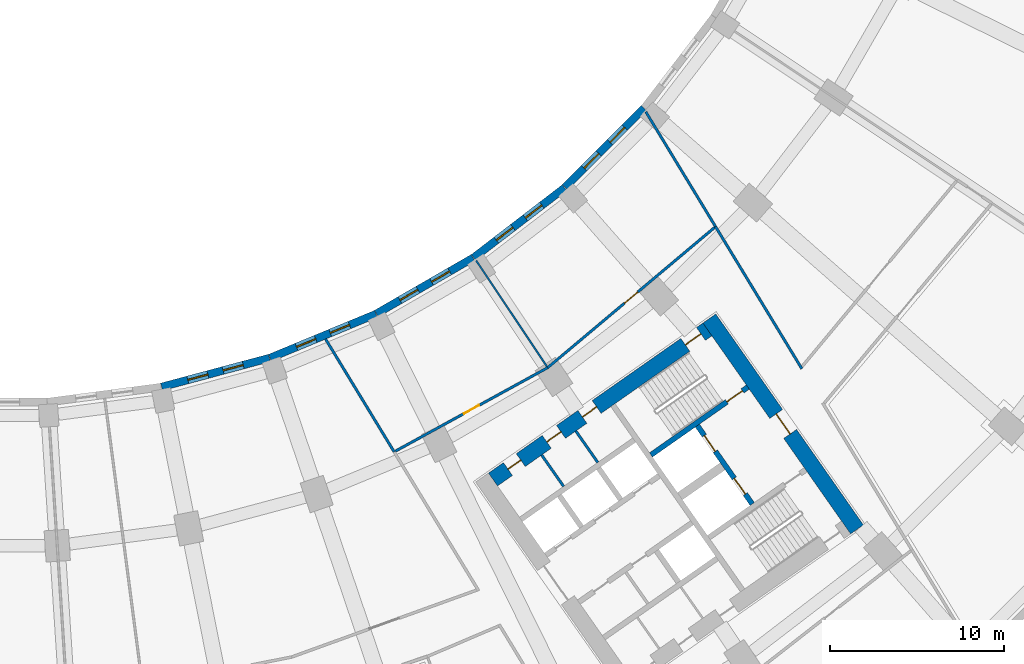
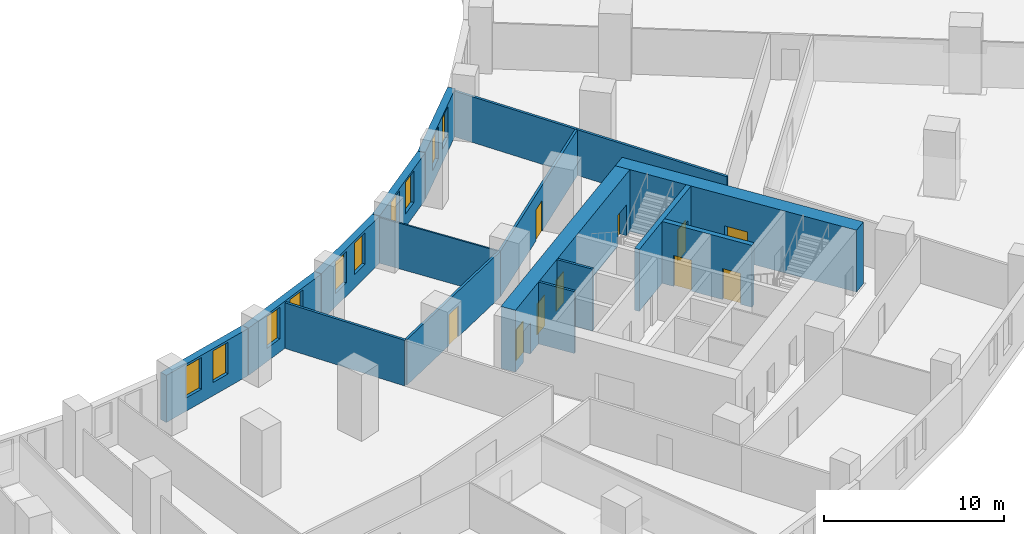
# One storey, part 11 of 19: 17 walls, 10 doors, 10 windows, 20 openings.
"""IFC4 building model written with IfcOpenShell, lengths in metres."""

import ifcopenshell
import ifcopenshell.guid

model = None  # the IFC model being written
_history = None  # IfcOwnerHistory: only IFC2X3 demands one
_inside = {}  # id of a spatial element -> (the spatial element, [elements in it])
_under = {}  # id of a project, library or spatial element -> (it, [spatial elements below it])
_declared = {}  # id of a project -> (the project, [libraries it declares])
_typed = {}  # id of a type object -> (the type object, [elements of that type])
_made_of = {}  # id of a material, layer set ... -> (it, [elements and type objects made of it])


def new_model(schema):
    """Start an empty IFC model of exactly this schema.

    Asked for "IFC4X3", IfcOpenShell would pick the latest addendum, in which some entities
    have other attributes; the version numbers below select the first issue.
    IFC2X3 requires an IfcOwnerHistory on every rooted entity: one is made here for all.
    """
    global model, _history
    if schema == "IFC4X3":
        model = ifcopenshell.file(schema_version=(4, 3, 0, 0))
    else:
        model = ifcopenshell.file(schema=schema)
    _inside.clear()
    _under.clear()
    _declared.clear()
    _typed.clear()
    _made_of.clear()
    _history = None
    if model.schema == "IFC2X3":
        org = make("IfcOrganization", Name="unknown")
        user = make(
            "IfcPersonAndOrganization",
            ThePerson=make("IfcPerson", FamilyName="unknown"),
            TheOrganization=org,
        )
        app = make(
            "IfcApplication",
            ApplicationDeveloper=org,
            Version="unknown",
            ApplicationFullName="unknown",
            ApplicationIdentifier="unknown",
        )
        _history = make(
            "IfcOwnerHistory",
            OwningUser=user,
            OwningApplication=app,
            ChangeAction="ADDED",
            CreationDate=0,
        )
    return model


def make(cls, **values):
    """One entity of the class cls with the attributes given. An attribute that is None is left unset."""
    return model.create_entity(
        cls, **{name: value for name, value in values.items() if value is not None}
    )


def rooted(cls, **values):
    """An entity with a GlobalId (a new one), such as an element, a storey or a relation."""
    return make(cls, GlobalId=ifcopenshell.guid.new(), OwnerHistory=_history, **values)


def si_unit(unit_type, name, prefix=None):
    """IfcSIUnit, for example si_unit("LENGTHUNIT", "METRE", prefix="MILLI")."""
    return make("IfcSIUnit", UnitType=unit_type, Prefix=prefix, Name=name)


def assignment(units):
    """IfcUnitAssignment: the units of a project."""
    return None if units is None else make("IfcUnitAssignment", Units=units)


def point(xyz):
    """IfcCartesianPoint."""
    return None if xyz is None else make("IfcCartesianPoint", Coordinates=xyz)


def direction(xyz):
    """IfcDirection."""
    return None if xyz is None else make("IfcDirection", DirectionRatios=xyz)


def frame(location, z_axis=None, x_axis=None):
    """IfcAxis2Placement3D, a coordinate frame: its origin and axes. An axis left out is left unset."""
    return make(
        "IfcAxis2Placement3D",
        Location=point(location),
        Axis=direction(z_axis),
        RefDirection=direction(x_axis),
    )


def frame_2d(location, x_axis=None):
    """IfcAxis2Placement2D, a coordinate frame in the plane: its origin and x axis."""
    return make(
        "IfcAxis2Placement2D", Location=point(location), RefDirection=direction(x_axis)
    )


def origin():
    """The frame at (0, 0, 0) with its axes left unset."""
    return frame((0.0, 0.0, 0.0))


def place(relative_to, where):
    """IfcLocalPlacement: puts the frame where relative to a parent placement (None: the world)."""
    return make(
        "IfcLocalPlacement", PlacementRelTo=relative_to, RelativePlacement=where
    )


def context(
    kind, dimensions, precision=None, world=None, true_north=None, identifier=None
):
    """IfcGeometricRepresentationContext, for example the 3D "Model" context."""
    return make(
        "IfcGeometricRepresentationContext",
        ContextIdentifier=identifier,
        ContextType=kind,
        CoordinateSpaceDimension=dimensions,
        Precision=precision,
        WorldCoordinateSystem=world,
        TrueNorth=true_north,
    )


def subcontext(parent, identifier, kind, view, scale=None):
    """IfcGeometricRepresentationSubContext, for example "Body" below "Model"."""
    return make(
        "IfcGeometricRepresentationSubContext",
        ContextIdentifier=identifier,
        ContextType=kind,
        ParentContext=parent,
        TargetScale=scale,
        TargetView=view,
    )


def project(units=None, contexts=None):
    """IfcProject with its units and contexts."""
    return rooted(
        "IfcProject",
        Name="project",
        RepresentationContexts=contexts,
        UnitsInContext=assignment(units),
    )


def spatial(cls, under=None, at=None, **own):
    """A site, building, storey or space (cls), placed at a placement, below another one or the project."""
    s = rooted(cls, ObjectPlacement=at, **own)
    if under is not None:
        _under.setdefault(under.id(), (under, []))[1].append(s)
    return s


def profile(cls, at=None, kind="AREA", **sizes):
    """A parametric profile (cls). Its sizes go by their IFC names, for example OverallWidth=200.0."""
    return make(cls, ProfileType=kind, Position=at, **sizes)


def rectangle(**sizes):
    """IfcRectangleProfileDef."""
    return profile("IfcRectangleProfileDef", **sizes)


def extrude(swept, where, along, depth):
    """IfcExtrudedAreaSolid: the profile swept, set in the frame where, extruded along a direction by depth."""
    return make(
        "IfcExtrudedAreaSolid",
        SweptArea=swept,
        Position=where,
        ExtrudedDirection=direction(along),
        Depth=depth,
    )


def shape(context_of_items, identifier, shape_type, items):
    """IfcShapeRepresentation: the items that make up one representation, for example the "Body"."""
    return make(
        "IfcShapeRepresentation",
        ContextOfItems=context_of_items,
        RepresentationIdentifier=identifier,
        RepresentationType=shape_type,
        Items=items,
    )


def material(Name=None, Category=None):
    """IfcMaterial."""
    return make("IfcMaterial", Name=Name, Category=Category)


def layer(
    of_material, thickness, ventilated=None, Name=None, Category=None, Priority=None
):
    """IfcMaterialLayer: one layer of a wall or slab, of a material (None: an air gap)."""
    return make(
        "IfcMaterialLayer",
        Material=of_material,
        LayerThickness=thickness,
        IsVentilated=ventilated,
        Name=Name,
        Category=Category,
        Priority=Priority,
    )


def layer_set(layers, Name=None):
    """IfcMaterialLayerSet."""
    return make("IfcMaterialLayerSet", MaterialLayers=layers, LayerSetName=Name)


def made_of(thing, what):
    """Note that an element or type object is made of a material, layer set ...; save() writes the relation."""
    if what is not None:
        _made_of.setdefault(what.id(), (what, []))[1].append(thing)
    return thing


def type_object(cls, material=None, **own):
    """A type object (cls), such as IfcWallType, which elements share."""
    return made_of(rooted(cls, **own), material)


def element(
    cls,
    number,
    at=None,
    inside=None,
    cuts=None,
    type_object=None,
    material=None,
    context=None,
    identifier="Body",
    shape_type=None,
    held_by="IfcProductDefinitionShape",
    body=None,
    shapes=None,
    **own,
):
    """One element of the class cls, such as IfcWall. Its Tag is "e" and its number.

    at: its placement. inside: the storey or other place that contains it. cuts: it is an
    opening in that element (IfcRelVoidsElement). A single representation is given by context,
    identifier, shape_type and body (its items); several are given by shapes. held_by: the class
    of the entity that holds the representations. save() writes the other relations.
    """
    e = rooted(cls, Tag="e%d" % number, ObjectPlacement=at, **own)
    if body is not None:
        shapes = [shape(context, identifier, shape_type, body)]
    if shapes is not None:
        e.Representation = make(held_by, Representations=shapes)
    if inside is not None:
        _inside.setdefault(inside.id(), (inside, []))[1].append(e)
    if cuts is not None:
        rooted(
            "IfcRelVoidsElement", RelatingBuildingElement=cuts, RelatedOpeningElement=e
        )
    if type_object is not None:
        _typed.setdefault(type_object.id(), (type_object, []))[1].append(e)
    return made_of(e, material)


def fill(opening, filler):
    """IfcRelFillsElement: the door or window that sits in an opening."""
    return rooted(
        "IfcRelFillsElement",
        RelatingOpeningElement=opening,
        RelatedBuildingElement=filler,
    )


def aggregate(whole, parts):
    """IfcRelAggregates: a whole, such as a stair, and the parts it consists of."""
    return rooted("IfcRelAggregates", RelatingObject=whole, RelatedObjects=parts)


def save(model, path):
    """Write the relations noted so far, then the file.

    IfcRelAggregates (storeys below a building ...), IfcRelContainedInSpatialStructure (elements
    in a storey), IfcRelDefinesByType, IfcRelAssociatesMaterial and IfcRelDeclares: one each for
    every whole, place, type object, material and project.
    """
    for whole, parts in _under.values():
        aggregate(whole, parts)
    for where, things in _inside.values():
        rooted(
            "IfcRelContainedInSpatialStructure",
            RelatedElements=things,
            RelatingStructure=where,
        )
    for kind, things in _typed.values():
        rooted("IfcRelDefinesByType", RelatedObjects=things, RelatingType=kind)
    for what, things in _made_of.values():
        rooted("IfcRelAssociatesMaterial", RelatedObjects=things, RelatingMaterial=what)
    for by, libraries in _declared.values():
        rooted("IfcRelDeclares", RelatingContext=by, RelatedDefinitions=libraries)
    model.write(path)


model = new_model("IFC4")

# Units and contexts
model_context = context("Model", 3, precision=1e-05, world=origin(), true_north=direction((0.0, 1.0)))
body_context = subcontext(model_context, "Body", "Model", "MODEL_VIEW")
ifc_project = project(units=[si_unit("LENGTHUNIT", "METRE"), si_unit("AREAUNIT", "SQUARE_METRE"), si_unit("VOLUMEUNIT", "CUBIC_METRE"), si_unit("PLANEANGLEUNIT", "RADIAN"), si_unit("MASSUNIT", "GRAM", prefix="KILO")], contexts=[model_context])

# Site, building, storey
site_placement = place(None, origin())
site = spatial("IfcSite", under=ifc_project, at=site_placement, CompositionType="ELEMENT")
building_placement = place(site_placement, origin())
building = spatial("IfcBuilding", under=site, at=building_placement, Name="Qamariyya Broadcast Tower", CompositionType="ELEMENT")
storey_placement = place(building_placement, frame((0.0, 0.0, 36.0)))
storey = spatial("IfcBuildingStorey", under=building, at=storey_placement, Name="L05", CompositionType="ELEMENT", Elevation=36.0)

# Wall, opening, door
ifc_material_1 = material(Name="Concrete C70/85", Category="concrete")
ifc_layer_1 = layer(ifc_material_1, 0.89990234375)
ifc_layer_set_1 = layer_set([ifc_layer_1], Name="Core wall 900 mm Concrete C70/85")
wall_type_1 = type_object("IfcWallType", Name="Core wall 900 mm Concrete C70/85", PredefinedType="SHEAR", material=ifc_layer_set_1)
wall_1_placement = place(storey_placement, frame((49.778564453125, -57.191162109375, 0.0), z_axis=(0.0, 0.0, 1.0), x_axis=(-0.573577477574, 0.819151315216, 0.0)))
wall_1 = element("IfcWall", 1, at=wall_1_placement, inside=storey, type_object=wall_type_1, Name="k-E-L05-WH", PredefinedType="SHEAR", context=body_context, shape_type="SweptSolid", body=[
    extrude(rectangle(XDim=14.800048828125, YDim=0.89990234375, at=frame_2d((7.39990234375, 0.0))), origin(), (0.0, 0.0, 1.0), 4.199951171875),
])
opening_1_placement = place(wall_1_placement, frame((6.699951171875, 0.0, 0.0)))
opening_1 = element("IfcOpeningElement", 2, at=opening_1_placement, cuts=wall_1, Name="Opening KD2-E1", PredefinedType="OPENING", context=body_context, shape_type="SweptSolid", body=[
    extrude(rectangle(XDim=1.39990234375, YDim=2.10009765625, at=frame_2d((0.699951171875, 1.050048828125))), frame((0.0, 0.4599609375, 0.0), z_axis=(0.0, -1.0, 0.0), x_axis=(1.0, 0.0, 0.0)), (0.0, 0.0, 1.0), 0.919921875),
])
ifc_material_2 = material(Name="Steel fire-resisting door leaf", Category="steel")
door_type_1 = type_object("IfcDoorType", Name="Fire-fighting lobby door KD2", OperationType="DOUBLE_DOOR_SINGLE_SWING", PredefinedType="DOOR", material=ifc_material_2)
door_1_placement = place(opening_1_placement, origin())
door_1 = element("IfcDoor", 3, at=door_1_placement, inside=storey, type_object=door_type_1, Name="k-E-L05-WH-D15", OperationType="DOUBLE_DOOR_SINGLE_SWING", OverallHeight=2.10009765625, OverallWidth=1.39990234375, PredefinedType="DOOR", context=body_context, shape_type="SweptSolid", body=[
    extrude(rectangle(XDim=1.39990234375, YDim=2.10009765625, at=frame_2d((0.699951171875, 1.050048828125))), frame((0.0, 0.02490234375, 0.0), z_axis=(0.0, -1.0, 0.0), x_axis=(1.0, 0.0, 0.0)), (0.0, 0.0, 1.0), 0.050048828125),
])
fill(opening_1, door_1)

# Wall, openings, doors
wall_2_placement = place(storey_placement, frame((28.8544921875, -54.32421875, 0.0), z_axis=(0.0, 0.0, 1.0), x_axis=(0.819145767589, 0.573585400304, 0.0)))
wall_2 = element("IfcWall", 4, at=wall_2_placement, inside=storey, type_object=wall_type_1, Name="k-E-L05-WI", PredefinedType="SHEAR", context=body_context, shape_type="SweptSolid", body=[
    extrude(rectangle(XDim=15.04541015625, YDim=0.89990234375, at=frame_2d((7.522705078125, 0.0))), origin(), (0.0, 0.0, 1.0), 4.199951171875),
])
opening_2_placement = place(wall_2_placement, frame((1.050048828125, 0.0, 0.0)))
opening_2 = element("IfcOpeningElement", 5, at=opening_2_placement, cuts=wall_2, Name="Opening KD5-E1", PredefinedType="OPENING", context=body_context, shape_type="SweptSolid", body=[
    extrude(rectangle(XDim=0.89990234375, YDim=2.10009765625, at=frame_2d((0.449951171875, 1.050048828125))), frame((0.0, 0.4599609375, 0.0), z_axis=(0.0, -1.0, 0.0), x_axis=(1.0, 0.0, 0.0)), (0.0, 0.0, 1.0), 0.919921875),
])
opening_3_placement = place(wall_2_placement, frame((3.77490234375, 0.0, 0.0)))
opening_3 = element("IfcOpeningElement", 6, at=opening_3_placement, cuts=wall_2, Name="Opening KD7-E1", PredefinedType="OPENING", context=body_context, shape_type="SweptSolid", body=[
    extrude(rectangle(XDim=1.0, YDim=2.10009765625, at=frame_2d((0.5, 1.050048828125))), frame((0.0, 0.4599609375, 0.0), z_axis=(0.0, -1.0, 0.0), x_axis=(1.0, 0.0, 0.0)), (0.0, 0.0, 1.0), 0.919921875),
])
opening_4_placement = place(wall_2_placement, frame((6.27490234375, 0.0, 0.0)))
opening_4 = element("IfcOpeningElement", 7, at=opening_4_placement, cuts=wall_2, Name="Opening KD6-E3", PredefinedType="OPENING", context=body_context, shape_type="SweptSolid", body=[
    extrude(rectangle(XDim=1.0, YDim=2.10009765625, at=frame_2d((0.5, 1.050048828125))), frame((0.0, 0.4599609375, 0.0), z_axis=(0.0, -1.0, 0.0), x_axis=(1.0, 0.0, 0.0)), (0.0, 0.0, 1.0), 0.919921875),
])
opening_5_placement = place(wall_2_placement, frame((13.495361328125, 0.0, 0.0)))
opening_5 = element("IfcOpeningElement", 8, at=opening_5_placement, cuts=wall_2, Name="Opening KD1-E1", PredefinedType="OPENING", context=body_context, shape_type="SweptSolid", body=[
    extrude(rectangle(XDim=1.10009765625, YDim=2.10009765625, at=frame_2d((0.550048828125, 1.050048828125))), frame((0.0, 0.4599609375, 0.0), z_axis=(0.0, -1.0, 0.0), x_axis=(1.0, 0.0, 0.0)), (0.0, 0.0, 1.0), 0.919921875),
])
door_type_2 = type_object("IfcDoorType", Name="Accessible toilet door KD7", OperationType="SINGLE_SWING_LEFT", PredefinedType="DOOR", material=ifc_material_2)
door_2_placement = place(opening_3_placement, origin())
door_2 = element("IfcDoor", 9, at=door_2_placement, inside=storey, type_object=door_type_2, Name="k-E-L05-WI-D8", OperationType="SINGLE_SWING_RIGHT", OverallHeight=2.10009765625, OverallWidth=1.0, PredefinedType="DOOR", context=body_context, shape_type="SweptSolid", body=[
    extrude(rectangle(XDim=1.0, YDim=2.10009765625, at=frame_2d((0.5, 1.050048828125))), frame((0.0, 0.02490234375, 0.0), z_axis=(0.0, -1.0, 0.0), x_axis=(1.0, 0.0, 0.0)), (0.0, 0.0, 1.0), 0.050048828125),
])
fill(opening_3, door_2)
door_type_3 = type_object("IfcDoorType", Name="Core room door KD6", OperationType="SINGLE_SWING_LEFT", PredefinedType="DOOR", material=ifc_material_2)
door_3_placement = place(opening_4_placement, origin())
door_3 = element("IfcDoor", 10, at=door_3_placement, inside=storey, type_object=door_type_3, Name="k-E-L05-WI-D9", OperationType="SINGLE_SWING_LEFT", OverallHeight=2.10009765625, OverallWidth=1.0, PredefinedType="DOOR", context=body_context, shape_type="SweptSolid", body=[
    extrude(rectangle(XDim=1.0, YDim=2.10009765625, at=frame_2d((0.5, 1.050048828125))), frame((0.0, 0.02490234375, 0.0), z_axis=(0.0, -1.0, 0.0), x_axis=(1.0, 0.0, 0.0)), (0.0, 0.0, 1.0), 0.050048828125),
])
fill(opening_4, door_3)
door_type_4 = type_object("IfcDoorType", Name="Stair door KD1", OperationType="SINGLE_SWING_LEFT", PredefinedType="DOOR", material=ifc_material_2)
door_4_placement = place(opening_5_placement, origin())
door_4 = element("IfcDoor", 11, at=door_4_placement, inside=storey, type_object=door_type_4, Name="k-E-L05-WI-D16", OperationType="SINGLE_SWING_RIGHT", OverallHeight=2.10009765625, OverallWidth=1.10009765625, PredefinedType="DOOR", context=body_context, shape_type="SweptSolid", body=[
    extrude(rectangle(XDim=1.10009765625, YDim=2.10009765625, at=frame_2d((0.550048828125, 1.050048828125))), frame((0.0, 0.02490234375, 0.0), z_axis=(0.0, -1.0, 0.0), x_axis=(1.0, 0.0, 0.0)), (0.0, 0.0, 1.0), 0.050048828125),
])
fill(opening_5, door_4)
door_type_5 = type_object("IfcDoorType", Name="Toilet door KD5", OperationType="SINGLE_SWING_LEFT", PredefinedType="DOOR", material=ifc_material_2)
door_5_placement = place(opening_2_placement, origin())
door_5 = element("IfcDoor", 12, at=door_5_placement, inside=storey, type_object=door_type_5, Name="k-E-L05-WI-D7", OperationType="SINGLE_SWING_LEFT", OverallHeight=2.10009765625, OverallWidth=0.89990234375, PredefinedType="DOOR", context=body_context, shape_type="SweptSolid", body=[
    extrude(rectangle(XDim=0.89990234375, YDim=2.10009765625, at=frame_2d((0.449951171875, 1.050048828125))), frame((0.0, 0.02490234375, 0.0), z_axis=(0.0, -1.0, 0.0), x_axis=(1.0, 0.0, 0.0)), (0.0, 0.0, 1.0), 0.050048828125),
])
fill(opening_2, door_5)

# Wall
ifc_material_3 = material(Name="Gypsum board partition")
ifc_layer_2 = layer(ifc_material_3, 0.14990234375)
ifc_layer_set_2 = layer_set([ifc_layer_2], Name="Corridor partition 150 EI 60")
wall_type_2 = type_object("IfcWallType", Name="Corridor partition 150 EI 60", PredefinedType="PARTITIONING", material=ifc_layer_set_2)
wall_3_placement = place(storey_placement, frame((19.2314453125, -46.2490234375, 0.0), z_axis=(0.0, 0.0, 1.0), x_axis=(0.519582509181, -0.854420280748, 0.0)))
element("IfcWall", 13, at=wall_3_placement, inside=storey, type_object=wall_type_2, Name="Partition L05-043", PredefinedType="PARTITIONING", context=body_context, shape_type="SweptSolid", body=[
    extrude(rectangle(XDim=7.588134765625, YDim=0.14990234375, at=frame_2d((3.7939453125, 0.0))), origin(), (0.0, 0.0, 1.0), 3.10009765625),
])

# Wall, opening, door
wall_4_placement = place(storey_placement, frame((23.239990234375, -52.696533203125, 0.0), z_axis=(0.0, 0.0, 1.0), x_axis=(0.876826033283, 0.480807765492, 0.0)))
wall_4 = element("IfcWall", 14, at=wall_4_placement, inside=storey, type_object=wall_type_2, Name="Partition L05-046", PredefinedType="PARTITIONING", context=body_context, shape_type="SweptSolid", body=[
    extrude(rectangle(XDim=9.991455078125, YDim=0.14990234375, at=frame_2d((4.99560546875, 0.0))), origin(), (0.0, 0.0, 1.0), 3.10009765625),
])
opening_6_placement = place(wall_4_placement, frame((4.495849609375, 0.0, 0.0)))
opening_6 = element("IfcOpeningElement", 15, at=opening_6_placement, cuts=wall_4, Name="Opening L05-D22", PredefinedType="OPENING", context=body_context, shape_type="SweptSolid", body=[
    extrude(rectangle(XDim=1.0, YDim=2.10009765625, at=frame_2d((0.5, 1.050048828125))), frame((0.0, 0.0849609375, 0.0), z_axis=(0.0, -1.0, 0.0), x_axis=(1.0, 0.0, 0.0)), (0.0, 0.0, 1.0), 0.169921875),
])
ifc_material_4 = material(Name="Timber fire door leaf", Category="wood")
door_type_6 = type_object("IfcDoorType", Name="Fire door 1000 x 2100 FD60", OperationType="NOTDEFINED", PredefinedType="DOOR", material=ifc_material_4)
door_6_placement = place(opening_6_placement, origin())
door_6 = element("IfcDoor", 16, at=door_6_placement, inside=storey, type_object=door_type_6, Name="Door L05-D22", OperationType="SINGLE_SWING_RIGHT", OverallHeight=2.10009765625, OverallWidth=1.0, PredefinedType="DOOR", context=body_context, shape_type="SweptSolid", body=[
    extrude(rectangle(XDim=1.0, YDim=2.10009765625, at=frame_2d((0.5, 1.050048828125))), frame((0.0, 0.02490234375, 0.0), z_axis=(0.0, -1.0, 0.0), x_axis=(1.0, 0.0, 0.0)), (0.0, 0.0, 1.0), 0.050048828125),
])
fill(opening_6, door_6)

wall_5_placement = place(storey_placement, frame((32.000732421875, -47.892578125, 0.0), z_axis=(0.0, 0.0, 1.0), x_axis=(0.765734049768, 0.643157340801, 0.0)))
wall_5 = element("IfcWall", 17, at=wall_5_placement, inside=storey, type_object=wall_type_2, Name="Partition L05-052", PredefinedType="PARTITIONING", context=body_context, shape_type="SweptSolid", body=[
    extrude(rectangle(XDim=12.52392578125, YDim=0.14990234375, at=frame_2d((6.261962890625, 0.0))), origin(), (0.0, 0.0, 1.0), 3.10009765625),
])
opening_7_placement = place(wall_5_placement, frame((5.761962890625, 0.0, 0.0)))
opening_7 = element("IfcOpeningElement", 18, at=opening_7_placement, cuts=wall_5, Name="Opening L05-D23", PredefinedType="OPENING", context=body_context, shape_type="SweptSolid", body=[
    extrude(rectangle(XDim=1.0, YDim=2.10009765625, at=frame_2d((0.5, 1.050048828125))), frame((0.0, 0.0849609375, 0.0), z_axis=(0.0, -1.0, 0.0), x_axis=(1.0, 0.0, 0.0)), (0.0, 0.0, 1.0), 0.169921875),
])
door_7_placement = place(opening_7_placement, origin())
door_7 = element("IfcDoor", 19, at=door_7_placement, inside=storey, type_object=door_type_6, Name="Door L05-D23", OperationType="SINGLE_SWING_RIGHT", OverallHeight=2.10009765625, OverallWidth=1.0, PredefinedType="DOOR", context=body_context, shape_type="SweptSolid", body=[
    extrude(rectangle(XDim=1.0, YDim=2.10009765625, at=frame_2d((0.5, 1.050048828125))), frame((0.0, 0.02490234375, 0.0), z_axis=(0.0, -1.0, 0.0), x_axis=(1.0, 0.0, 0.0)), (0.0, 0.0, 1.0), 0.050048828125),
])
fill(opening_7, door_7)

# Walls
wall_6_placement = place(storey_placement, frame((37.6376953125, -33.18701171875, 0.0), z_axis=(0.0, 0.0, 1.0), x_axis=(0.519163683086, -0.854674833, 0.0)))
element("IfcWall", 20, at=wall_6_placement, inside=storey, type_object=wall_type_2, Name="Partition L05-055", PredefinedType="PARTITIONING", context=body_context, shape_type="SweptSolid", body=[
    extrude(rectangle(XDim=7.724853515625, YDim=0.14990234375, at=frame_2d((3.8623046875, 0.0))), origin(), (0.0, 0.0, 1.0), 3.10009765625),
])
wall_7_placement = place(storey_placement, frame((41.648193359375, -39.789306640625, 0.0), z_axis=(0.0, 0.0, 1.0), x_axis=(0.519144162426, -0.854686690325, 0.0)))
element("IfcWall", 21, at=wall_7_placement, inside=storey, type_object=wall_type_2, Name="Partition L05-056", PredefinedType="PARTITIONING", context=body_context, shape_type="SweptSolid", body=[
    extrude(rectangle(XDim=9.55419921875, YDim=0.14990234375, at=frame_2d((4.777099609375, 0.0))), origin(), (0.0, 0.0, 1.0), 3.10009765625),
])
ifc_material_5 = material(Name="Gypsum board partition on steel studs", Category="steel")
ifc_layer_3 = layer(ifc_material_5, 0.14990234375)
ifc_layer_set_3 = layer_set([ifc_layer_3], Name="Gypsum board partition 150 mm")
wall_type_3 = type_object("IfcWallType", Name="Gypsum board partition 150 mm", PredefinedType="PARTITIONING", material=ifc_layer_set_3)
wall_8_placement = place(storey_placement, frame((32.9140625, -54.716796875, 0.0), z_axis=(0.0, 0.0, 1.0), x_axis=(-0.573581496053, 0.819148501424, 0.0)))
element("IfcWall", 22, at=wall_8_placement, inside=storey, type_object=wall_type_3, Name="k-E-L05-NP310", PredefinedType="PARTITIONING", context=body_context, shape_type="SweptSolid", body=[
    extrude(rectangle(XDim=2.2001953125, YDim=0.14990234375, at=frame_2d((1.10009765625, 0.0))), origin(), (0.0, 0.0, 1.0), 4.199951171875),
])
wall_9_placement = place(storey_placement, frame((34.8798828125, -53.340087890625, 0.0), z_axis=(0.0, 0.0, 1.0), x_axis=(-0.573559170999, 0.819164133348, 0.0)))
element("IfcWall", 23, at=wall_9_placement, inside=storey, type_object=wall_type_3, Name="k-E-L05-NP550", PredefinedType="PARTITIONING", context=body_context, shape_type="SweptSolid", body=[
    extrude(rectangle(XDim=2.19970703125, YDim=0.14990234375, at=frame_2d((1.099853515625, 0.0))), origin(), (0.0, 0.0, 1.0), 4.199951171875),
])

# Wall, opening, door
ifc_material_6 = material(Name="Concrete C60/75", Category="concrete")
ifc_layer_4 = layer(ifc_material_6, 0.300048828125)
ifc_layer_set_4 = layer_set([ifc_layer_4], Name="Lift shaft wall 300 mm Concrete C60/75")
wall_type_4 = type_object("IfcWallType", Name="Lift shaft wall 300 mm Concrete C60/75", PredefinedType="SOLIDWALL", material=ifc_layer_set_4)
wall_10_placement = place(storey_placement, frame((37.935546875, -52.90966796875, 0.0), z_axis=(0.0, 0.0, 1.0), x_axis=(0.819147518138, 0.57358290031, 0.0)))
wall_10 = element("IfcWall", 24, at=wall_10_placement, inside=storey, type_object=wall_type_4, Name="k-E-L05-NW", PredefinedType="SOLIDWALL", context=body_context, shape_type="SweptSolid", body=[
    extrude(rectangle(XDim=6.79541015625, YDim=0.300048828125, at=frame_2d((3.397705078125, 0.0))), origin(), (0.0, 0.0, 1.0), 4.199951171875),
])
opening_8_placement = place(wall_10_placement, frame((5.3203125, 0.0, 0.0)))
opening_8 = element("IfcOpeningElement", 25, at=opening_8_placement, cuts=wall_10, Name="Opening KD1-E2", PredefinedType="OPENING", context=body_context, shape_type="SweptSolid", body=[
    extrude(rectangle(XDim=1.10009765625, YDim=2.10009765625, at=frame_2d((0.550048828125, 1.050048828125))), frame((0.0, 0.159912109375, 0.0), z_axis=(0.0, -1.0, 0.0), x_axis=(1.0, 0.0, 0.0)), (0.0, 0.0, 1.0), 0.320068359375),
])
door_8_placement = place(opening_8_placement, origin())
door_8 = element("IfcDoor", 26, at=door_8_placement, inside=storey, type_object=door_type_4, Name="k-E-L05-NW-D17", OperationType="SINGLE_SWING_LEFT", OverallHeight=2.10009765625, OverallWidth=1.10009765625, PredefinedType="DOOR", context=body_context, shape_type="SweptSolid", body=[
    extrude(rectangle(XDim=1.10009765625, YDim=2.10009765625, at=frame_2d((0.550048828125, 1.050048828125))), frame((0.0, 0.02490234375, 0.0), z_axis=(0.0, -1.0, 0.0), x_axis=(1.0, 0.0, 0.0)), (0.0, 0.0, 1.0), 0.050048828125),
])
fill(opening_8, door_8)

# Wall, openings, doors
wall_11_placement = place(storey_placement, frame((43.756591796875, -55.731201171875, 0.0), z_axis=(0.0, 0.0, 1.0), x_axis=(-0.573536818435, 0.819179783625, 0.0)))
wall_11 = element("IfcWall", 27, at=wall_11_placement, inside=storey, type_object=wall_type_4, Name="k-E-L05-FF", PredefinedType="SOLIDWALL", context=body_context, shape_type="SweptSolid", body=[
    extrude(rectangle(XDim=5.500244140625, YDim=0.300048828125, at=frame_2d((2.75, 0.0))), origin(), (0.0, 0.0, 1.0), 4.199951171875),
])
opening_9_placement = place(wall_11_placement, frame((0.699951171875, 0.0, 0.0)))
opening_9 = element("IfcOpeningElement", 28, at=opening_9_placement, cuts=wall_11, Name="Opening LD", PredefinedType="OPENING", context=body_context, shape_type="SweptSolid", body=[
    extrude(rectangle(XDim=1.10009765625, YDim=2.10009765625, at=frame_2d((0.550048828125, 1.050048828125))), frame((0.0, 0.159912109375, 0.0), z_axis=(0.0, -1.0, 0.0), x_axis=(1.0, 0.0, 0.0)), (0.0, 0.0, 1.0), 0.320068359375),
])
opening_10_placement = place(wall_11_placement, frame((3.699951171875, 0.0, 0.0)))
opening_10 = element("IfcOpeningElement", 29, at=opening_10_placement, cuts=wall_11, Name="Opening LD", PredefinedType="OPENING", context=body_context, shape_type="SweptSolid", body=[
    extrude(rectangle(XDim=1.10009765625, YDim=2.10009765625, at=frame_2d((0.550048828125, 1.050048828125))), frame((0.0, 0.159912109375, 0.0), z_axis=(0.0, -1.0, 0.0), x_axis=(1.0, 0.0, 0.0)), (0.0, 0.0, 1.0), 0.320068359375),
])
door_type_7 = type_object("IfcDoorType", Name="Lift landing door LD", OperationType="DOUBLE_DOOR_SLIDING", PredefinedType="DOOR", material=ifc_material_2)
door_9_placement = place(opening_9_placement, origin())
door_9 = element("IfcDoor", 30, at=door_9_placement, inside=storey, type_object=door_type_7, Name="k-E-L05-FF-D13", OperationType="DOUBLE_DOOR_SLIDING", OverallHeight=2.10009765625, OverallWidth=1.10009765625, PredefinedType="DOOR", context=body_context, shape_type="SweptSolid", body=[
    extrude(rectangle(XDim=1.10009765625, YDim=2.10009765625, at=frame_2d((0.550048828125, 1.050048828125))), frame((0.0, 0.02490234375, 0.0), z_axis=(0.0, -1.0, 0.0), x_axis=(1.0, 0.0, 0.0)), (0.0, 0.0, 1.0), 0.050048828125),
])
fill(opening_9, door_9)
door_10_placement = place(opening_10_placement, origin())
door_10 = element("IfcDoor", 31, at=door_10_placement, inside=storey, type_object=door_type_7, Name="k-E-L05-FF-D14", OperationType="DOUBLE_DOOR_SLIDING", OverallHeight=2.10009765625, OverallWidth=1.10009765625, PredefinedType="DOOR", context=body_context, shape_type="SweptSolid", body=[
    extrude(rectangle(XDim=1.10009765625, YDim=2.10009765625, at=frame_2d((0.550048828125, 1.050048828125))), frame((0.0, 0.02490234375, 0.0), z_axis=(0.0, -1.0, 0.0), x_axis=(1.0, 0.0, 0.0)), (0.0, 0.0, 1.0), 0.050048828125),
])
fill(opening_10, door_10)

# Wall
ifc_layer_5 = layer(ifc_material_3, 0.10009765625)
ifc_layer_set_5 = layer_set([ifc_layer_5], Name="Partition 100")
wall_type_5 = type_object("IfcWallType", Name="Partition 100", PredefinedType="PARTITIONING", material=ifc_layer_set_5)
wall_12_placement = place(storey_placement, frame((27.8896484375, -41.73974609375, 0.0), z_axis=(0.0, 0.0, 1.0), x_axis=(0.555569023768, -0.831470420297, 0.0)))
element("IfcWall", 32, at=wall_12_placement, inside=storey, type_object=wall_type_5, Name="Partition L05-049", PredefinedType="PARTITIONING", context=body_context, shape_type="SweptSolid", body=[
    extrude(rectangle(XDim=7.324951171875, YDim=0.10009765625, at=frame_2d((3.66259765625, 0.0))), origin(), (0.0, 0.0, 1.0), 3.10009765625),
])

# Wall, openings, windows
ifc_material_7 = material(Name="Precast concrete C40/50 with terracotta facing", Category="masonry")
ifc_layer_6 = layer(ifc_material_7, 0.449951171875)
ifc_layer_set_6 = layer_set([ifc_layer_6], Name="Precast concrete C40/50 wall 450, terracotta faced")
wall_type_6 = type_object("IfcWallType", Name="Precast concrete C40/50 wall 450, terracotta faced", PredefinedType="SOLIDWALL", material=ifc_layer_set_6)
wall_13_placement = place(storey_placement, frame((16.007080078125, -47.338623046875, 0.0), z_axis=(0.0, 0.0, 1.0), x_axis=(-0.965926830738, -0.25881529642, 0.0)))
wall_13 = element("IfcWall", 33, at=wall_13_placement, inside=storey, type_object=wall_type_6, Name="e-wl-L05-in120", PredefinedType="SOLIDWALL", context=body_context, shape_type="SweptSolid", body=[
    extrude(rectangle(XDim=6.419189453125, YDim=0.449951171875, at=frame_2d((3.20947265625, 0.0))), origin(), (0.0, 0.0, 1.0), 3.199951171875),
])
opening_11_placement = place(wall_13_placement, frame((3.65966796875, 0.0, 0.89990234375)))
opening_11 = element("IfcOpeningElement", 34, at=opening_11_placement, cuts=wall_13, Name="Opening W3", PredefinedType="OPENING", context=body_context, shape_type="SweptSolid", body=[
    extrude(rectangle(XDim=1.199951171875, YDim=2.14990234375, at=frame_2d((0.60009765625, 1.074951171875))), frame((0.0, 0.23486328125, 0.0), z_axis=(0.0, -1.0, 0.0), x_axis=(1.0, 0.0, 0.0)), (0.0, 0.0, 1.0), 0.469970703125),
])
opening_12_placement = place(wall_13_placement, frame((1.5595703125, 0.0, 0.89990234375)))
opening_12 = element("IfcOpeningElement", 35, at=opening_12_placement, cuts=wall_13, Name="Opening W3", PredefinedType="OPENING", context=body_context, shape_type="SweptSolid", body=[
    extrude(rectangle(XDim=1.199951171875, YDim=2.14990234375, at=frame_2d((0.60009765625, 1.074951171875))), frame((0.0, 0.23486328125, 0.0), z_axis=(0.0, -1.0, 0.0), x_axis=(1.0, 0.0, 0.0)), (0.0, 0.0, 1.0), 0.469970703125),
])
ifc_material_8 = material(Name="Clear low-e double glazed unit in aluminium frame", Category="aluminium")
window_type = type_object("IfcWindowType", Name="Podium window 1200 x 2150", PartitioningType="SINGLE_PANEL", PredefinedType="WINDOW", material=ifc_material_8)
window_1_placement = place(opening_11_placement, origin())
window_1 = element("IfcWindow", 36, at=window_1_placement, inside=storey, type_object=window_type, Name="e-w-L05-in12a", OverallHeight=2.14990234375, OverallWidth=1.199951171875, PartitioningType="SINGLE_PANEL", PredefinedType="WINDOW", context=body_context, shape_type="SweptSolid", body=[
    extrude(rectangle(XDim=1.199951171875, YDim=2.14990234375, at=frame_2d((0.60009765625, 1.074951171875))), frame((0.0, 0.030029296875, 0.0), z_axis=(0.0, -1.0, 0.0), x_axis=(1.0, 0.0, 0.0)), (0.0, 0.0, 1.0), 0.06005859375),
])
fill(opening_11, window_1)
window_2_placement = place(opening_12_placement, origin())
window_2 = element("IfcWindow", 37, at=window_2_placement, inside=storey, type_object=window_type, Name="e-w-L05-in12b", OverallHeight=2.14990234375, OverallWidth=1.199951171875, PartitioningType="SINGLE_PANEL", PredefinedType="WINDOW", context=body_context, shape_type="SweptSolid", body=[
    extrude(rectangle(XDim=1.199951171875, YDim=2.14990234375, at=frame_2d((0.60009765625, 1.074951171875))), frame((0.0, 0.030029296875, 0.0), z_axis=(0.0, -1.0, 0.0), x_axis=(1.0, 0.0, 0.0)), (0.0, 0.0, 1.0), 0.06005859375),
])
fill(opening_12, window_2)

wall_14_placement = place(storey_placement, frame((22.13134765625, -44.81005859375, 0.0), z_axis=(0.0, 0.0, 1.0), x_axis=(-0.923877459804, -0.382688436284, 0.0)))
wall_14 = element("IfcWall", 38, at=wall_14_placement, inside=storey, type_object=wall_type_6, Name="e-wl-L05-in130", PredefinedType="SOLIDWALL", context=body_context, shape_type="SweptSolid", body=[
    extrude(rectangle(XDim=6.59716796875, YDim=0.449951171875, at=frame_2d((3.298583984375, 0.0))), origin(), (0.0, 0.0, 1.0), 3.199951171875),
])
opening_13_placement = place(wall_14_placement, frame((3.74853515625, 0.0, 0.89990234375)))
opening_13 = element("IfcOpeningElement", 39, at=opening_13_placement, cuts=wall_14, Name="Opening W3", PredefinedType="OPENING", context=body_context, shape_type="SweptSolid", body=[
    extrude(rectangle(XDim=1.199951171875, YDim=2.14990234375, at=frame_2d((0.60009765625, 1.074951171875))), frame((0.0, 0.23486328125, 0.0), z_axis=(0.0, -1.0, 0.0), x_axis=(1.0, 0.0, 0.0)), (0.0, 0.0, 1.0), 0.469970703125),
])
opening_14_placement = place(wall_14_placement, frame((1.6484375, 0.0, 0.89990234375)))
opening_14 = element("IfcOpeningElement", 40, at=opening_14_placement, cuts=wall_14, Name="Opening W3", PredefinedType="OPENING", context=body_context, shape_type="SweptSolid", body=[
    extrude(rectangle(XDim=1.199951171875, YDim=2.14990234375, at=frame_2d((0.60009765625, 1.074951171875))), frame((0.0, 0.23486328125, 0.0), z_axis=(0.0, -1.0, 0.0), x_axis=(1.0, 0.0, 0.0)), (0.0, 0.0, 1.0), 0.469970703125),
])
window_3_placement = place(opening_13_placement, origin())
window_3 = element("IfcWindow", 41, at=window_3_placement, inside=storey, type_object=window_type, Name="e-w-L05-in13a", OverallHeight=2.14990234375, OverallWidth=1.199951171875, PartitioningType="SINGLE_PANEL", PredefinedType="WINDOW", context=body_context, shape_type="SweptSolid", body=[
    extrude(rectangle(XDim=1.199951171875, YDim=2.14990234375, at=frame_2d((0.60009765625, 1.074951171875))), frame((0.0, 0.030029296875, 0.0), z_axis=(0.0, -1.0, 0.0), x_axis=(1.0, 0.0, 0.0)), (0.0, 0.0, 1.0), 0.06005859375),
])
fill(opening_13, window_3)
window_4_placement = place(opening_14_placement, origin())
window_4 = element("IfcWindow", 42, at=window_4_placement, inside=storey, type_object=window_type, Name="e-w-L05-in13b", OverallHeight=2.14990234375, OverallWidth=1.199951171875, PartitioningType="SINGLE_PANEL", PredefinedType="WINDOW", context=body_context, shape_type="SweptSolid", body=[
    extrude(rectangle(XDim=1.199951171875, YDim=2.14990234375, at=frame_2d((0.60009765625, 1.074951171875))), frame((0.0, 0.030029296875, 0.0), z_axis=(0.0, -1.0, 0.0), x_axis=(1.0, 0.0, 0.0)), (0.0, 0.0, 1.0), 0.06005859375),
])
fill(opening_14, window_4)

wall_15_placement = place(storey_placement, frame((27.7138671875, -41.58251953125, 0.0), z_axis=(0.0, 0.0, 1.0), x_axis=(-0.866022817921, -0.50000447882, 0.0)))
wall_15 = element("IfcWall", 43, at=wall_15_placement, inside=storey, type_object=wall_type_6, Name="e-wl-L05-in140", PredefinedType="SOLIDWALL", context=body_context, shape_type="SweptSolid", body=[
    extrude(rectangle(XDim=6.41943359375, YDim=0.449951171875, at=frame_2d((3.209716796875, 0.0))), origin(), (0.0, 0.0, 1.0), 3.199951171875),
])
opening_15_placement = place(wall_15_placement, frame((3.65966796875, 0.0, 0.89990234375)))
opening_15 = element("IfcOpeningElement", 44, at=opening_15_placement, cuts=wall_15, Name="Opening W3", PredefinedType="OPENING", context=body_context, shape_type="SweptSolid", body=[
    extrude(rectangle(XDim=1.199951171875, YDim=2.14990234375, at=frame_2d((0.60009765625, 1.074951171875))), frame((0.0, 0.23486328125, 0.0), z_axis=(0.0, -1.0, 0.0), x_axis=(1.0, 0.0, 0.0)), (0.0, 0.0, 1.0), 0.469970703125),
])
opening_16_placement = place(wall_15_placement, frame((1.5595703125, 0.0, 0.89990234375)))
opening_16 = element("IfcOpeningElement", 45, at=opening_16_placement, cuts=wall_15, Name="Opening W3", PredefinedType="OPENING", context=body_context, shape_type="SweptSolid", body=[
    extrude(rectangle(XDim=1.199951171875, YDim=2.14990234375, at=frame_2d((0.60009765625, 1.074951171875))), frame((0.0, 0.23486328125, 0.0), z_axis=(0.0, -1.0, 0.0), x_axis=(1.0, 0.0, 0.0)), (0.0, 0.0, 1.0), 0.469970703125),
])
window_5_placement = place(opening_15_placement, origin())
window_5 = element("IfcWindow", 46, at=window_5_placement, inside=storey, type_object=window_type, Name="e-w-L05-in14a", OverallHeight=2.14990234375, OverallWidth=1.199951171875, PartitioningType="SINGLE_PANEL", PredefinedType="WINDOW", context=body_context, shape_type="SweptSolid", body=[
    extrude(rectangle(XDim=1.199951171875, YDim=2.14990234375, at=frame_2d((0.60009765625, 1.074951171875))), frame((0.0, 0.030029296875, 0.0), z_axis=(0.0, -1.0, 0.0), x_axis=(1.0, 0.0, 0.0)), (0.0, 0.0, 1.0), 0.06005859375),
])
fill(opening_15, window_5)
window_6_placement = place(opening_16_placement, origin())
window_6 = element("IfcWindow", 47, at=window_6_placement, inside=storey, type_object=window_type, Name="e-w-L05-in14b", OverallHeight=2.14990234375, OverallWidth=1.199951171875, PartitioningType="SINGLE_PANEL", PredefinedType="WINDOW", context=body_context, shape_type="SweptSolid", body=[
    extrude(rectangle(XDim=1.199951171875, YDim=2.14990234375, at=frame_2d((0.60009765625, 1.074951171875))), frame((0.0, 0.030029296875, 0.0), z_axis=(0.0, -1.0, 0.0), x_axis=(1.0, 0.0, 0.0)), (0.0, 0.0, 1.0), 0.06005859375),
])
fill(opening_16, window_6)

wall_16_placement = place(storey_placement, frame((32.974853515625, -37.55517578125, 0.0), z_axis=(0.0, 0.0, 1.0), x_axis=(-0.793338838284, -0.608780327927, 0.0)))
wall_16 = element("IfcWall", 48, at=wall_16_placement, inside=storey, type_object=wall_type_6, Name="e-wl-L05-in150", PredefinedType="SOLIDWALL", context=body_context, shape_type="SweptSolid", body=[
    extrude(rectangle(XDim=6.596923828125, YDim=0.449951171875, at=frame_2d((3.29833984375, 0.0))), origin(), (0.0, 0.0, 1.0), 3.199951171875),
])
opening_17_placement = place(wall_16_placement, frame((3.74853515625, 0.0, 0.89990234375)))
opening_17 = element("IfcOpeningElement", 49, at=opening_17_placement, cuts=wall_16, Name="Opening W3", PredefinedType="OPENING", context=body_context, shape_type="SweptSolid", body=[
    extrude(rectangle(XDim=1.199951171875, YDim=2.14990234375, at=frame_2d((0.60009765625, 1.074951171875))), frame((0.0, 0.23486328125, 0.0), z_axis=(0.0, -1.0, 0.0), x_axis=(1.0, 0.0, 0.0)), (0.0, 0.0, 1.0), 0.469970703125),
])
opening_18_placement = place(wall_16_placement, frame((1.6484375, 0.0, 0.89990234375)))
opening_18 = element("IfcOpeningElement", 50, at=opening_18_placement, cuts=wall_16, Name="Opening W3", PredefinedType="OPENING", context=body_context, shape_type="SweptSolid", body=[
    extrude(rectangle(XDim=1.199951171875, YDim=2.14990234375, at=frame_2d((0.60009765625, 1.074951171875))), frame((0.0, 0.23486328125, 0.0), z_axis=(0.0, -1.0, 0.0), x_axis=(1.0, 0.0, 0.0)), (0.0, 0.0, 1.0), 0.469970703125),
])
window_7_placement = place(opening_17_placement, origin())
window_7 = element("IfcWindow", 51, at=window_7_placement, inside=storey, type_object=window_type, Name="e-w-L05-in15a", OverallHeight=2.14990234375, OverallWidth=1.199951171875, PartitioningType="SINGLE_PANEL", PredefinedType="WINDOW", context=body_context, shape_type="SweptSolid", body=[
    extrude(rectangle(XDim=1.199951171875, YDim=2.14990234375, at=frame_2d((0.60009765625, 1.074951171875))), frame((0.0, 0.030029296875, 0.0), z_axis=(0.0, -1.0, 0.0), x_axis=(1.0, 0.0, 0.0)), (0.0, 0.0, 1.0), 0.06005859375),
])
fill(opening_17, window_7)
window_8_placement = place(opening_18_placement, origin())
window_8 = element("IfcWindow", 52, at=window_8_placement, inside=storey, type_object=window_type, Name="e-w-L05-in15b", OverallHeight=2.14990234375, OverallWidth=1.199951171875, PartitioningType="SINGLE_PANEL", PredefinedType="WINDOW", context=body_context, shape_type="SweptSolid", body=[
    extrude(rectangle(XDim=1.199951171875, YDim=2.14990234375, at=frame_2d((0.60009765625, 1.074951171875))), frame((0.0, 0.030029296875, 0.0), z_axis=(0.0, -1.0, 0.0), x_axis=(1.0, 0.0, 0.0)), (0.0, 0.0, 1.0), 0.06005859375),
])
fill(opening_18, window_8)

wall_17_placement = place(storey_placement, frame((37.531982421875, -32.992919921875, 0.0), z_axis=(0.0, 0.0, 1.0), x_axis=(-0.707106781187, -0.707106781187, 0.0)))
wall_17 = element("IfcWall", 53, at=wall_17_placement, inside=storey, type_object=wall_type_6, Name="e-wl-L05-in160", PredefinedType="SOLIDWALL", context=body_context, shape_type="SweptSolid", body=[
    extrude(rectangle(XDim=6.419189453125, YDim=0.449951171875, at=frame_2d((3.20947265625, 0.0))), origin(), (0.0, 0.0, 1.0), 3.199951171875),
])
opening_19_placement = place(wall_17_placement, frame((3.65966796875, 0.0, 0.89990234375)))
opening_19 = element("IfcOpeningElement", 54, at=opening_19_placement, cuts=wall_17, Name="Opening W3", PredefinedType="OPENING", context=body_context, shape_type="SweptSolid", body=[
    extrude(rectangle(XDim=1.199951171875, YDim=2.14990234375, at=frame_2d((0.60009765625, 1.074951171875))), frame((0.0, 0.23486328125, 0.0), z_axis=(0.0, -1.0, 0.0), x_axis=(1.0, 0.0, 0.0)), (0.0, 0.0, 1.0), 0.469970703125),
])
opening_20_placement = place(wall_17_placement, frame((1.5595703125, 0.0, 0.89990234375)))
opening_20 = element("IfcOpeningElement", 55, at=opening_20_placement, cuts=wall_17, Name="Opening W3", PredefinedType="OPENING", context=body_context, shape_type="SweptSolid", body=[
    extrude(rectangle(XDim=1.199951171875, YDim=2.14990234375, at=frame_2d((0.60009765625, 1.074951171875))), frame((0.0, 0.23486328125, 0.0), z_axis=(0.0, -1.0, 0.0), x_axis=(1.0, 0.0, 0.0)), (0.0, 0.0, 1.0), 0.469970703125),
])
window_9_placement = place(opening_19_placement, origin())
window_9 = element("IfcWindow", 56, at=window_9_placement, inside=storey, type_object=window_type, Name="e-w-L05-in16a", OverallHeight=2.14990234375, OverallWidth=1.199951171875, PartitioningType="SINGLE_PANEL", PredefinedType="WINDOW", context=body_context, shape_type="SweptSolid", body=[
    extrude(rectangle(XDim=1.199951171875, YDim=2.14990234375, at=frame_2d((0.60009765625, 1.074951171875))), frame((0.0, 0.030029296875, 0.0), z_axis=(0.0, -1.0, 0.0), x_axis=(1.0, 0.0, 0.0)), (0.0, 0.0, 1.0), 0.06005859375),
])
fill(opening_19, window_9)
window_10_placement = place(opening_20_placement, origin())
window_10 = element("IfcWindow", 57, at=window_10_placement, inside=storey, type_object=window_type, Name="e-w-L05-in16b", OverallHeight=2.14990234375, OverallWidth=1.199951171875, PartitioningType="SINGLE_PANEL", PredefinedType="WINDOW", context=body_context, shape_type="SweptSolid", body=[
    extrude(rectangle(XDim=1.199951171875, YDim=2.14990234375, at=frame_2d((0.60009765625, 1.074951171875))), frame((0.0, 0.030029296875, 0.0), z_axis=(0.0, -1.0, 0.0), x_axis=(1.0, 0.0, 0.0)), (0.0, 0.0, 1.0), 0.06005859375),
])
fill(opening_20, window_10)

save(model, "model.ifc")
